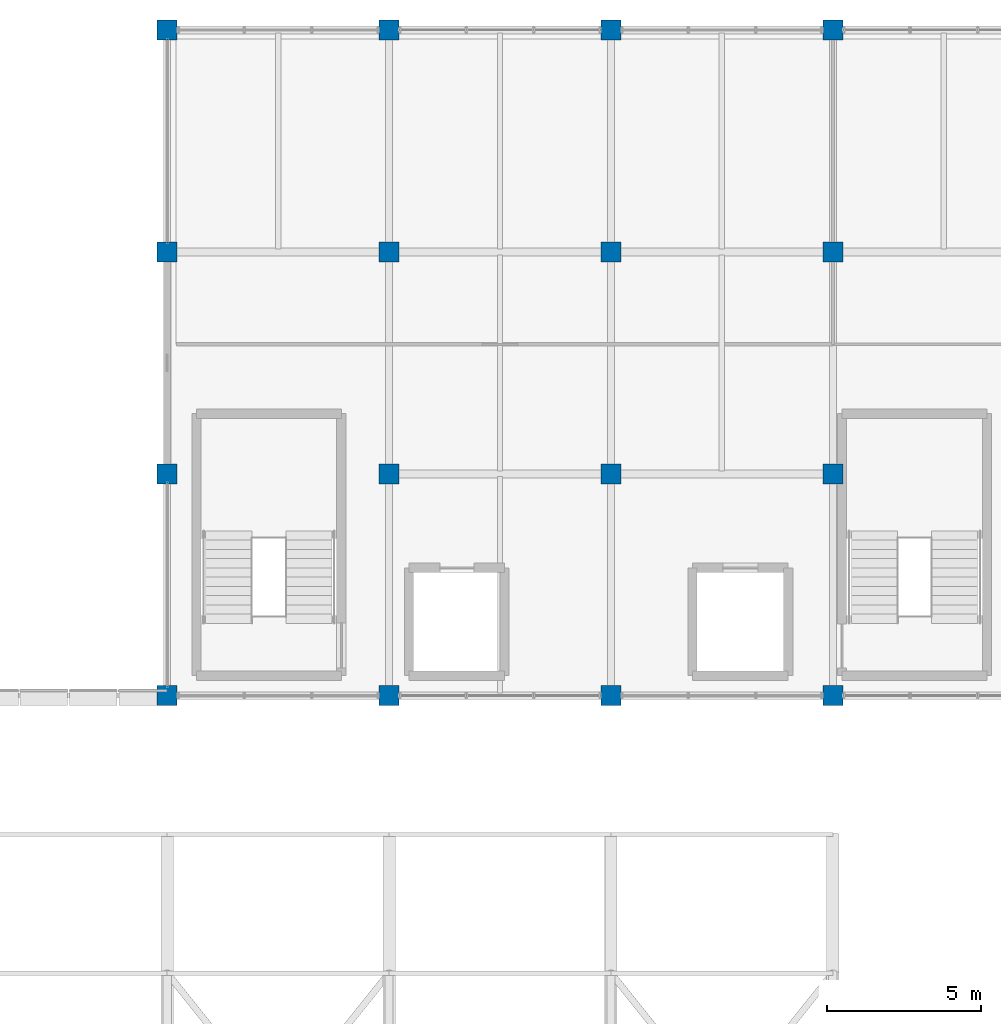
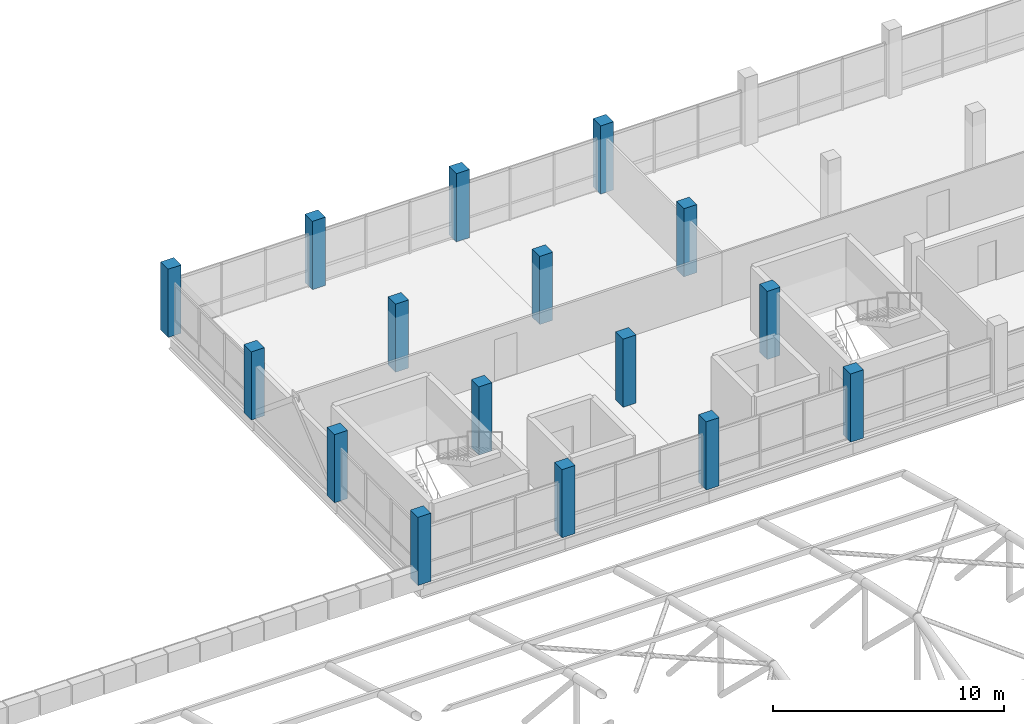
# One storey, part 5 of 96: 16 columns.
"""IFC4 building model written with IfcOpenShell, lengths in metres."""

from ifc_helpers import new_model, si_unit, direction, frame, origin, origin_2d, place, context, subcontext, project, spatial, rectangle, extrude, material, material_profile, profile_set, type_object, element, save


model = new_model("IFC4")

# Units and contexts
model_context = context("Model", 3, precision=1e-05, world=origin(), true_north=direction((0.0, 1.0)))
body_context = subcontext(model_context, "Body", "Model", "MODEL_VIEW")
ifc_project = project(units=[si_unit("LENGTHUNIT", "METRE"), si_unit("AREAUNIT", "SQUARE_METRE"), si_unit("VOLUMEUNIT", "CUBIC_METRE"), si_unit("PLANEANGLEUNIT", "RADIAN"), si_unit("MASSUNIT", "GRAM", prefix="KILO")], contexts=[model_context])

# Site, building, storey
site_placement = place(None, origin())
site = spatial("IfcSite", under=ifc_project, at=site_placement, CompositionType="ELEMENT")
building_placement = place(site_placement, origin())
building = spatial("IfcBuilding", under=site, at=building_placement, Name="Yarey Park Central Fire Station", CompositionType="ELEMENT")
storey_placement = place(building_placement, frame((0.0, 0.0, 14.39990234375)))
storey = spatial("IfcBuildingStorey", under=building, at=storey_placement, Name="L04", CompositionType="ELEMENT", Elevation=14.39990234375)

# Columns
ifc_material = material(Name="Concrete C40/50", Category="concrete")
ifc_material_profile_1 = material_profile(ifc_material, rectangle(XDim=0.64990234375, YDim=0.64990234375, at=origin_2d()), Name="RC 650x650")
ifc_profile_set_1 = profile_set([ifc_material_profile_1], Name="Concrete C40/50")
column_type_1 = type_object("IfcColumnType", Name="STR_COL_RC650_EXT", PredefinedType="COLUMN", material=ifc_profile_set_1)
for number, where, z_axis, x_axis, name in (
    (1, (115.199951171875, 93.60009765625, 0.0), (0.0, 0.0, 1.0), (1.0, 0.0, 0.0), "COL_L04_X1152_Y936"),
    (2, (115.199951171875, 100.800048828125, 0.0), (0.0, 0.0, 1.0), (1.0, 0.0, 0.0), "COL_L04_X1152_Y1008"),
    (3, (115.199951171875, 108.0, 0.0), (0.0, 0.0, 1.0), (1.0, 0.0, 0.0), "COL_L04_X1152_Y1080"),
    (4, (115.199951171875, 115.199951171875, 0.0), (0.0, 0.0, 1.0), (1.0, 0.0, 0.0), "COL_L04_X1152_Y1152"),
    (5, (122.39990234375, 93.60009765625, 0.0), (0.0, 0.0, 1.0), (1.0, 0.0, 0.0), "COL_L04_X1224_Y936"),
    (6, (122.39990234375, 115.199951171875, 0.0), (0.0, 0.0, 1.0), (1.0, 0.0, 0.0), "COL_L04_X1224_Y1152"),
    (7, (129.60009765625, 93.60009765625, 0.0), (0.0, 0.0, 1.0), (1.0, 0.0, 0.0), "COL_L04_X1296_Y936"),
    (8, (129.60009765625, 115.199951171875, 0.0), (0.0, 0.0, 1.0), (1.0, 0.0, 0.0), "COL_L04_X1296_Y1152"),
    (9, (136.800048828125, 93.60009765625, 0.0), (0.0, 0.0, 1.0), (1.0, 0.0, 0.0), "COL_L04_X1368_Y936"),
    (10, (136.800048828125, 115.199951171875, 0.0), (0.0, 0.0, 1.0), (1.0, 0.0, 0.0), "COL_L04_X1368_Y1152"),
):
    element("IfcColumn", number, at=place(storey_placement, frame(where, z_axis=z_axis, x_axis=x_axis)), inside=storey, type_object=column_type_1, Name=name, PredefinedType="COLUMN", context=body_context, shape_type="SweptSolid", body=[
        extrude(rectangle(XDim=0.64990234375, YDim=0.64990234375, at=origin_2d()), origin(), (0.0, 0.0, 1.0), 3.60009765625),
    ])
ifc_material_profile_2 = material_profile(ifc_material, rectangle(XDim=0.64990234375, YDim=0.64990234375, at=origin_2d()), Name="RC 650x650")
ifc_profile_set_2 = profile_set([ifc_material_profile_2], Name="Concrete C40/50")
column_type_2 = type_object("IfcColumnType", Name="STR_COL_RC650_INT", PredefinedType="COLUMN", material=ifc_profile_set_2)
for number, where, z_axis, x_axis, name in (
    (11, (122.39990234375, 100.800048828125, 0.0), (0.0, 0.0, 1.0), (1.0, 0.0, 0.0), "COL_L04_X1224_Y1008"),
    (12, (122.39990234375, 108.0, 0.0), (0.0, 0.0, 1.0), (1.0, 0.0, 0.0), "COL_L04_X1224_Y1080"),
    (13, (129.60009765625, 100.800048828125, 0.0), (0.0, 0.0, 1.0), (1.0, 0.0, 0.0), "COL_L04_X1296_Y1008"),
    (14, (129.60009765625, 108.0, 0.0), (0.0, 0.0, 1.0), (1.0, 0.0, 0.0), "COL_L04_X1296_Y1080"),
    (15, (136.800048828125, 100.800048828125, 0.0), (0.0, 0.0, 1.0), (1.0, 0.0, 0.0), "COL_L04_X1368_Y1008"),
    (16, (136.800048828125, 108.0, 0.0), (0.0, 0.0, 1.0), (1.0, 0.0, 0.0), "COL_L04_X1368_Y1080"),
):
    element("IfcColumn", number, at=place(storey_placement, frame(where, z_axis=z_axis, x_axis=x_axis)), inside=storey, type_object=column_type_2, Name=name, PredefinedType="COLUMN", context=body_context, shape_type="SweptSolid", body=[
        extrude(rectangle(XDim=0.64990234375, YDim=0.64990234375, at=origin_2d()), origin(), (0.0, 0.0, 1.0), 3.60009765625),
    ])

save(model, "model.ifc")
